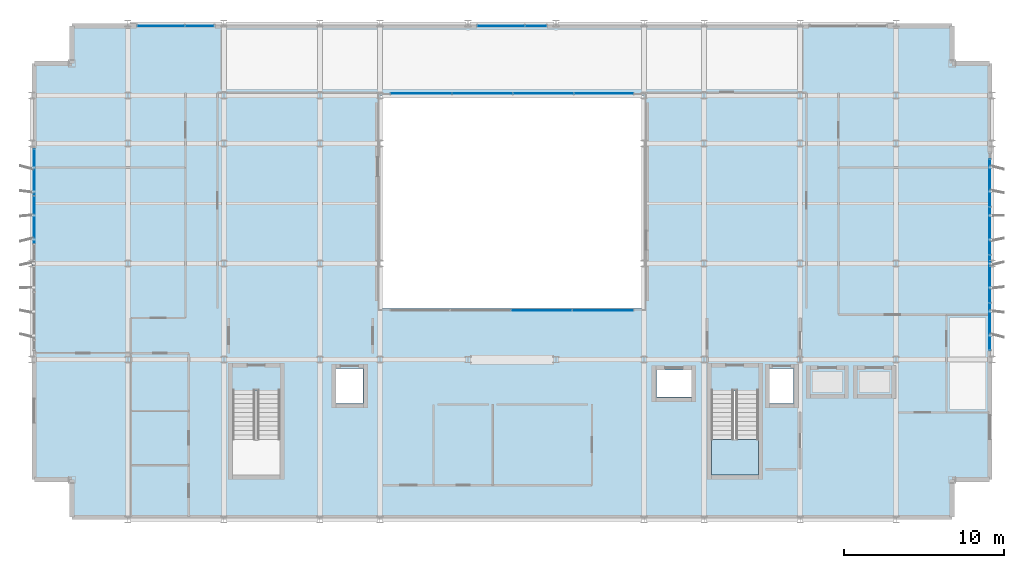
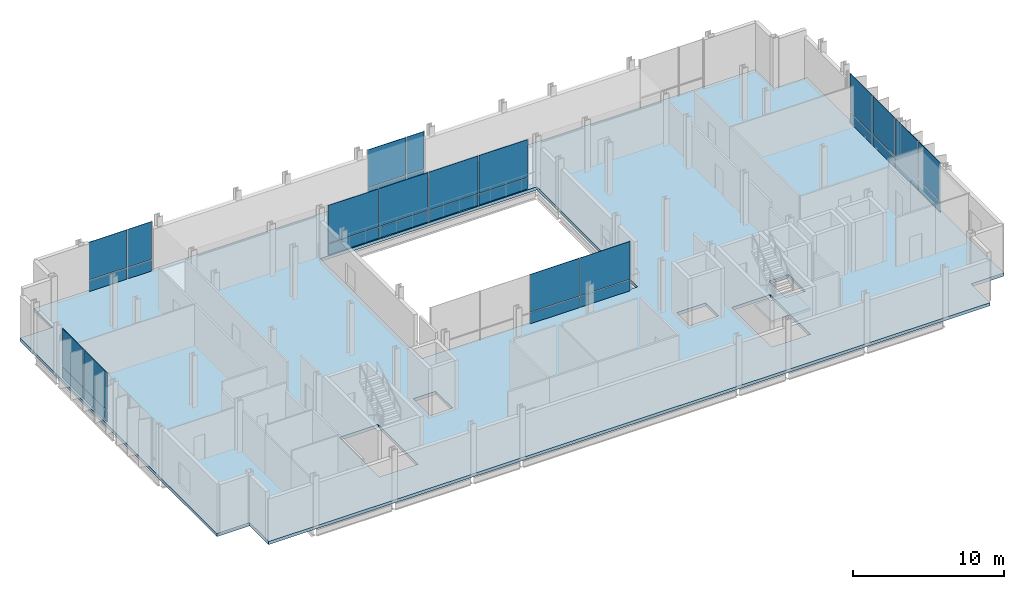
# One storey, part 22 of 32: 32 plates, 2 slabs, 7 elements without a shape of their own.
"""IFC4 building model written with IfcOpenShell, lengths in metres."""

from ifc_helpers import new_model, si_unit, direction, frame, origin, origin_2d, place, context, subcontext, project, spatial, polyline, rectangle, outline, extrude, material, layer, layer_set, type_object, element, aggregate, save


model = new_model("IFC4")

# Units and contexts
model_context = context("Model", 3, precision=1e-05, world=origin(), true_north=direction((0.0, 1.0)))
body_context = subcontext(model_context, "Body", "Model", "MODEL_VIEW")
ifc_project = project(units=[si_unit("LENGTHUNIT", "METRE"), si_unit("AREAUNIT", "SQUARE_METRE"), si_unit("VOLUMEUNIT", "CUBIC_METRE"), si_unit("PLANEANGLEUNIT", "RADIAN"), si_unit("MASSUNIT", "GRAM", prefix="KILO")], contexts=[model_context])

# Site, building, storey
site_placement = place(None, origin())
site = spatial("IfcSite", under=ifc_project, at=site_placement, CompositionType="ELEMENT")
building_placement = place(site_placement, origin())
building = spatial("IfcBuilding", under=site, at=building_placement, Name="Brevholm Reach", CompositionType="ELEMENT")
storey_placement = place(building_placement, frame((0.0, 0.0, 134.5)))
storey = spatial("IfcBuildingStorey", under=building, at=storey_placement, Name="L40", CompositionType="ELEMENT", Elevation=134.5)

# Curtain wall, plates
ifc_material_1 = material(Name="Dark Anodised Aluminium 6063-T6 and Solar-Control Glass", Category="aluminium")
ifc_layer_1 = layer(ifc_material_1, 0.179931640625)
ifc_layer_set_1 = layer_set([ifc_layer_1], Name="Dark Anodised Aluminium 6063-T6 and Solar-Control Glass")
curtain_wall_type_1 = type_object("IfcCurtainWallType", Name="CW-05", PredefinedType="NOTDEFINED", material=ifc_layer_set_1)
curtain_wall_1_placement = place(storey_placement, origin())
curtain_wall_1 = element("IfcCurtainWall", 1, at=curtain_wall_1_placement, inside=storey, type_object=curtain_wall_type_1, Name="L40 Curtain Wall CW-05", PredefinedType="NOTDEFINED")
ifc_material_2 = material(Name="Low-Iron Laminated Acoustic Glass", Category="glass")
ifc_layer_2 = layer(ifc_material_2, 0.035888671875)
ifc_layer_set_2 = layer_set([ifc_layer_2], Name="Low-Iron Laminated Acoustic Glass")
plate_type = type_object("IfcPlateType", Name="CWP-GLZ-36", PredefinedType="CURTAIN_PANEL", material=ifc_layer_set_2)
plate_1_placement = place(storey_placement, frame((0.14990234375, 21.701171875, 0.0), z_axis=(0.0, 0.0, 1.0), x_axis=(0.0, -1.0, 0.0)))
plate_1 = element("IfcPlate", 2, at=plate_1_placement, type_object=plate_type, Name="CP-02 Glazing Panel 1.1", PredefinedType="CURTAIN_PANEL", context=body_context, shape_type="SweptSolid", body=[
    extrude(rectangle(XDim=2.887451171875, YDim=0.035888671875, at=origin_2d()), origin(), (0.0, 0.0, 1.0), 0.862548828125),
])
plate_2_placement = place(storey_placement, frame((0.14990234375, 21.701171875, 0.9375), z_axis=(0.0, 0.0, 1.0), x_axis=(0.0, -1.0, 0.0)))
plate_2 = element("IfcPlate", 3, at=plate_2_placement, type_object=plate_type, Name="CP-02 Glazing Panel 1.2", PredefinedType="CURTAIN_PANEL", context=body_context, shape_type="SweptSolid", body=[
    extrude(rectangle(XDim=2.887451171875, YDim=0.035888671875, at=origin_2d()), origin(), (0.0, 0.0, 1.0), 3.04248046875),
])
plate_3_placement = place(storey_placement, frame((0.14990234375, 18.719970703125, 0.0), z_axis=(0.0, 0.0, 1.0), x_axis=(0.0, -1.0, 0.0)))
plate_3 = element("IfcPlate", 4, at=plate_3_placement, type_object=plate_type, Name="CP-02 Glazing Panel 2.1", PredefinedType="CURTAIN_PANEL", context=body_context, shape_type="SweptSolid", body=[
    extrude(rectangle(XDim=2.925048828125, YDim=0.035888671875, at=origin_2d()), origin(), (0.0, 0.0, 1.0), 0.862548828125),
])
plate_4_placement = place(storey_placement, frame((0.14990234375, 18.719970703125, 0.9375), z_axis=(0.0, 0.0, 1.0), x_axis=(0.0, -1.0, 0.0)))
plate_4 = element("IfcPlate", 5, at=plate_4_placement, type_object=plate_type, Name="CP-02 Glazing Panel 2.2", PredefinedType="CURTAIN_PANEL", context=body_context, shape_type="SweptSolid", body=[
    extrude(rectangle(XDim=2.925048828125, YDim=0.035888671875, at=origin_2d()), origin(), (0.0, 0.0, 1.0), 3.04248046875),
])
aggregate(curtain_wall_1, [plate_1, plate_2, plate_3, plate_4])

curtain_wall_2_placement = place(storey_placement, origin())
curtain_wall_2 = element("IfcCurtainWall", 6, at=curtain_wall_2_placement, inside=storey, type_object=curtain_wall_type_1, Name="L40 Curtain Wall CW-05", PredefinedType="NOTDEFINED")
plate_5_placement = place(storey_placement, frame((59.85009765625, 12.06884765625, 0.0), z_axis=(0.0, 0.0, 1.0), x_axis=(0.0, 1.0, 0.0)))
plate_5 = element("IfcPlate", 7, at=plate_5_placement, type_object=plate_type, Name="CP-02 Glazing Panel 1.1", PredefinedType="CURTAIN_PANEL", context=body_context, shape_type="SweptSolid", body=[
    extrude(rectangle(XDim=2.887451171875, YDim=0.035888671875, at=origin_2d()), origin(), (0.0, 0.0, 1.0), 0.862548828125),
])
plate_6_placement = place(storey_placement, frame((59.85009765625, 12.06884765625, 0.9375), z_axis=(0.0, 0.0, 1.0), x_axis=(0.0, 1.0, 0.0)))
plate_6 = element("IfcPlate", 8, at=plate_6_placement, type_object=plate_type, Name="CP-02 Glazing Panel 1.2", PredefinedType="CURTAIN_PANEL", context=body_context, shape_type="SweptSolid", body=[
    extrude(rectangle(XDim=2.887451171875, YDim=0.035888671875, at=origin_2d()), origin(), (0.0, 0.0, 1.0), 3.04248046875),
])
plate_7_placement = place(storey_placement, frame((59.85009765625, 15.050048828125, 0.0), z_axis=(0.0, 0.0, 1.0), x_axis=(0.0, 1.0, 0.0)))
plate_7 = element("IfcPlate", 9, at=plate_7_placement, type_object=plate_type, Name="CP-02 Glazing Panel 2.1", PredefinedType="CURTAIN_PANEL", context=body_context, shape_type="SweptSolid", body=[
    extrude(rectangle(XDim=2.925048828125, YDim=0.035888671875, at=origin_2d()), origin(), (0.0, 0.0, 1.0), 0.862548828125),
])
plate_8_placement = place(storey_placement, frame((59.85009765625, 15.050048828125, 0.9375), z_axis=(0.0, 0.0, 1.0), x_axis=(0.0, 1.0, 0.0)))
plate_8 = element("IfcPlate", 10, at=plate_8_placement, type_object=plate_type, Name="CP-02 Glazing Panel 2.2", PredefinedType="CURTAIN_PANEL", context=body_context, shape_type="SweptSolid", body=[
    extrude(rectangle(XDim=2.925048828125, YDim=0.035888671875, at=origin_2d()), origin(), (0.0, 0.0, 1.0), 3.04248046875),
])
plate_9_placement = place(storey_placement, frame((59.85009765625, 18.050048828125, 0.0), z_axis=(0.0, 0.0, 1.0), x_axis=(0.0, 1.0, 0.0)))
plate_9 = element("IfcPlate", 11, at=plate_9_placement, type_object=plate_type, Name="CP-02 Glazing Panel 3.1", PredefinedType="CURTAIN_PANEL", context=body_context, shape_type="SweptSolid", body=[
    extrude(rectangle(XDim=2.925048828125, YDim=0.035888671875, at=origin_2d()), origin(), (0.0, 0.0, 1.0), 0.862548828125),
])
plate_10_placement = place(storey_placement, frame((59.85009765625, 18.050048828125, 0.9375), z_axis=(0.0, 0.0, 1.0), x_axis=(0.0, 1.0, 0.0)))
plate_10 = element("IfcPlate", 12, at=plate_10_placement, type_object=plate_type, Name="CP-02 Glazing Panel 3.2", PredefinedType="CURTAIN_PANEL", context=body_context, shape_type="SweptSolid", body=[
    extrude(rectangle(XDim=2.925048828125, YDim=0.035888671875, at=origin_2d()), origin(), (0.0, 0.0, 1.0), 3.04248046875),
])
plate_11_placement = place(storey_placement, frame((59.85009765625, 21.050048828125, 0.0), z_axis=(0.0, 0.0, 1.0), x_axis=(0.0, 1.0, 0.0)))
plate_11 = element("IfcPlate", 13, at=plate_11_placement, type_object=plate_type, Name="CP-02 Glazing Panel 4.1", PredefinedType="CURTAIN_PANEL", context=body_context, shape_type="SweptSolid", body=[
    extrude(rectangle(XDim=2.925048828125, YDim=0.035888671875, at=origin_2d()), origin(), (0.0, 0.0, 1.0), 0.862548828125),
])
plate_12_placement = place(storey_placement, frame((59.85009765625, 21.050048828125, 0.9375), z_axis=(0.0, 0.0, 1.0), x_axis=(0.0, 1.0, 0.0)))
plate_12 = element("IfcPlate", 14, at=plate_12_placement, type_object=plate_type, Name="CP-02 Glazing Panel 4.2", PredefinedType="CURTAIN_PANEL", context=body_context, shape_type="SweptSolid", body=[
    extrude(rectangle(XDim=2.925048828125, YDim=0.035888671875, at=origin_2d()), origin(), (0.0, 0.0, 1.0), 3.04248046875),
])
aggregate(curtain_wall_2, [plate_5, plate_6, plate_7, plate_8, plate_9, plate_10, plate_11, plate_12])

curtain_wall_3_placement = place(storey_placement, origin())
curtain_wall_3 = element("IfcCurtainWall", 15, at=curtain_wall_3_placement, inside=storey, type_object=curtain_wall_type_1, Name="L40 Curtain Wall CW-05", PredefinedType="NOTDEFINED")
plate_13_placement = place(storey_placement, frame((8.06884765625, 30.85009765625, 0.0), z_axis=(0.0, 0.0, 1.0), x_axis=(1.0, 0.0, 0.0)))
plate_13 = element("IfcPlate", 16, at=plate_13_placement, type_object=plate_type, Name="CP-02 Glazing Panel 1.1", PredefinedType="CURTAIN_PANEL", context=body_context, shape_type="SweptSolid", body=[
    extrude(rectangle(XDim=2.887451171875, YDim=0.035888671875, at=origin_2d()), origin(), (0.0, 0.0, 1.0), 0.862548828125),
])
plate_14_placement = place(storey_placement, frame((8.06884765625, 30.85009765625, 0.9375), z_axis=(0.0, 0.0, 1.0), x_axis=(1.0, 0.0, 0.0)))
plate_14 = element("IfcPlate", 17, at=plate_14_placement, type_object=plate_type, Name="CP-02 Glazing Panel 1.2", PredefinedType="CURTAIN_PANEL", context=body_context, shape_type="SweptSolid", body=[
    extrude(rectangle(XDim=2.887451171875, YDim=0.035888671875, at=origin_2d()), origin(), (0.0, 0.0, 1.0), 3.04248046875),
])
plate_15_placement = place(storey_placement, frame((10.481201171875, 30.85009765625, 0.0), z_axis=(0.0, 0.0, 1.0), x_axis=(1.0, 0.0, 0.0)))
plate_15 = element("IfcPlate", 18, at=plate_15_placement, type_object=plate_type, Name="CP-02 Glazing Panel 2.1", PredefinedType="CURTAIN_PANEL", context=body_context, shape_type="SweptSolid", body=[
    extrude(rectangle(XDim=1.78759765625, YDim=0.035888671875, at=origin_2d()), origin(), (0.0, 0.0, 1.0), 0.862548828125),
])
plate_16_placement = place(storey_placement, frame((10.481201171875, 30.85009765625, 0.9375), z_axis=(0.0, 0.0, 1.0), x_axis=(1.0, 0.0, 0.0)))
plate_16 = element("IfcPlate", 19, at=plate_16_placement, type_object=plate_type, Name="CP-02 Glazing Panel 2.2", PredefinedType="CURTAIN_PANEL", context=body_context, shape_type="SweptSolid", body=[
    extrude(rectangle(XDim=1.78759765625, YDim=0.035888671875, at=origin_2d()), origin(), (0.0, 0.0, 1.0), 3.04248046875),
])
aggregate(curtain_wall_3, [plate_13, plate_14, plate_15, plate_16])

curtain_wall_4_placement = place(storey_placement, origin())
curtain_wall_4 = element("IfcCurtainWall", 20, at=curtain_wall_4_placement, inside=storey, type_object=curtain_wall_type_1, Name="L40 Curtain Wall CW-05", PredefinedType="NOTDEFINED")
plate_17_placement = place(storey_placement, frame((29.31884765625, 30.85009765625, 0.0), z_axis=(0.0, 0.0, 1.0), x_axis=(1.0, 0.0, 0.0)))
plate_17 = element("IfcPlate", 21, at=plate_17_placement, type_object=plate_type, Name="CP-02 Glazing Panel 1.1", PredefinedType="CURTAIN_PANEL", context=body_context, shape_type="SweptSolid", body=[
    extrude(rectangle(XDim=2.887451171875, YDim=0.035888671875, at=origin_2d()), origin(), (0.0, 0.0, 1.0), 0.862548828125),
])
plate_18_placement = place(storey_placement, frame((29.31884765625, 30.85009765625, 0.9375), z_axis=(0.0, 0.0, 1.0), x_axis=(1.0, 0.0, 0.0)))
plate_18 = element("IfcPlate", 22, at=plate_18_placement, type_object=plate_type, Name="CP-02 Glazing Panel 1.2", PredefinedType="CURTAIN_PANEL", context=body_context, shape_type="SweptSolid", body=[
    extrude(rectangle(XDim=2.887451171875, YDim=0.035888671875, at=origin_2d()), origin(), (0.0, 0.0, 1.0), 3.04248046875),
])
plate_19_placement = place(storey_placement, frame((31.481201171875, 30.85009765625, 0.0), z_axis=(0.0, 0.0, 1.0), x_axis=(1.0, 0.0, 0.0)))
plate_19 = element("IfcPlate", 23, at=plate_19_placement, type_object=plate_type, Name="CP-02 Glazing Panel 2.1", PredefinedType="CURTAIN_PANEL", context=body_context, shape_type="SweptSolid", body=[
    extrude(rectangle(XDim=1.28759765625, YDim=0.035888671875, at=origin_2d()), origin(), (0.0, 0.0, 1.0), 0.862548828125),
])
plate_20_placement = place(storey_placement, frame((31.481201171875, 30.85009765625, 0.9375), z_axis=(0.0, 0.0, 1.0), x_axis=(1.0, 0.0, 0.0)))
plate_20 = element("IfcPlate", 24, at=plate_20_placement, type_object=plate_type, Name="CP-02 Glazing Panel 2.2", PredefinedType="CURTAIN_PANEL", context=body_context, shape_type="SweptSolid", body=[
    extrude(rectangle(XDim=1.28759765625, YDim=0.035888671875, at=origin_2d()), origin(), (0.0, 0.0, 1.0), 3.04248046875),
])
aggregate(curtain_wall_4, [plate_17, plate_18, plate_19, plate_20])

ifc_material_3 = material(Name="Dark Anodised Aluminium 6063-T6 and Solar-Control Glass", Category="aluminium")
ifc_layer_3 = layer(ifc_material_3, 0.139892578125)
ifc_layer_set_3 = layer_set([ifc_layer_3], Name="Dark Anodised Aluminium 6063-T6 and Solar-Control Glass")
curtain_wall_type_2 = type_object("IfcCurtainWallType", Name="CW-02", PredefinedType="NOTDEFINED", material=ifc_layer_set_3)
curtain_wall_5_placement = place(storey_placement, origin())
curtain_wall_5 = element("IfcCurtainWall", 25, at=curtain_wall_5_placement, inside=storey, type_object=curtain_wall_type_2, Name="L40 Curtain Wall CW-02", PredefinedType="NOTDEFINED")
plate_21_placement = place(storey_placement, frame((31.85009765625, 13.080078125, 0.0), z_axis=(0.0, 0.0, 1.0), x_axis=(1.0, 0.0, 0.0)))
plate_21 = element("IfcPlate", 26, at=plate_21_placement, type_object=plate_type, Name="CP-02 Glazing Panel 3.1", PredefinedType="CURTAIN_PANEL", context=body_context, shape_type="SweptSolid", body=[
    extrude(rectangle(XDim=3.739990234375, YDim=0.035888671875, at=origin_2d()), origin(), (0.0, 0.0, 1.0), 0.8701171875),
])
plate_22_placement = place(storey_placement, frame((31.85009765625, 13.080078125, 0.93017578125), z_axis=(0.0, 0.0, 1.0), x_axis=(1.0, 0.0, 0.0)))
plate_22 = element("IfcPlate", 27, at=plate_22_placement, type_object=plate_type, Name="CP-02 Glazing Panel 3.2", PredefinedType="CURTAIN_PANEL", context=body_context, shape_type="SweptSolid", body=[
    extrude(rectangle(XDim=3.739990234375, YDim=0.035888671875, at=origin_2d()), origin(), (0.0, 0.0, 1.0), 3.050048828125),
])
plate_23_placement = place(storey_placement, frame((35.68505859375, 13.080078125, 0.0), z_axis=(0.0, 0.0, 1.0), x_axis=(1.0, 0.0, 0.0)))
plate_23 = element("IfcPlate", 28, at=plate_23_placement, type_object=plate_type, Name="CP-02 Glazing Panel 4.1", PredefinedType="CURTAIN_PANEL", context=body_context, shape_type="SweptSolid", body=[
    extrude(rectangle(XDim=3.81005859375, YDim=0.035888671875, at=origin_2d()), origin(), (0.0, 0.0, 1.0), 0.8701171875),
])
plate_24_placement = place(storey_placement, frame((35.68505859375, 13.080078125, 0.93017578125), z_axis=(0.0, 0.0, 1.0), x_axis=(1.0, 0.0, 0.0)))
plate_24 = element("IfcPlate", 29, at=plate_24_placement, type_object=plate_type, Name="CP-02 Glazing Panel 4.2", PredefinedType="CURTAIN_PANEL", context=body_context, shape_type="SweptSolid", body=[
    extrude(rectangle(XDim=3.81005859375, YDim=0.035888671875, at=origin_2d()), origin(), (0.0, 0.0, 1.0), 3.050048828125),
])
aggregate(curtain_wall_5, [plate_21, plate_22, plate_23, plate_24])

curtain_wall_6_placement = place(storey_placement, origin())
curtain_wall_6 = element("IfcCurtainWall", 30, at=curtain_wall_6_placement, inside=storey, type_object=curtain_wall_type_2, Name="L40 Curtain Wall CW-02", PredefinedType="NOTDEFINED")
plate_25_placement = place(storey_placement, frame((35.735107421875, 26.6201171875, 0.0), z_axis=(0.0, 0.0, 1.0), x_axis=(-1.0, 0.0, 0.0)))
plate_25 = element("IfcPlate", 31, at=plate_25_placement, type_object=plate_type, Name="CP-02 Glazing Panel 1.1", PredefinedType="CURTAIN_PANEL", context=body_context, shape_type="SweptSolid", body=[
    extrude(rectangle(XDim=3.7099609375, YDim=0.035888671875, at=origin_2d()), origin(), (0.0, 0.0, 1.0), 0.8701171875),
])
plate_26_placement = place(storey_placement, frame((35.735107421875, 26.6201171875, 0.93017578125), z_axis=(0.0, 0.0, 1.0), x_axis=(-1.0, 0.0, 0.0)))
plate_26 = element("IfcPlate", 32, at=plate_26_placement, type_object=plate_type, Name="CP-02 Glazing Panel 1.2", PredefinedType="CURTAIN_PANEL", context=body_context, shape_type="SweptSolid", body=[
    extrude(rectangle(XDim=3.7099609375, YDim=0.035888671875, at=origin_2d()), origin(), (0.0, 0.0, 1.0), 3.050048828125),
])
plate_27_placement = place(storey_placement, frame((31.949951171875, 26.6201171875, 0.0), z_axis=(0.0, 0.0, 1.0), x_axis=(-1.0, 0.0, 0.0)))
plate_27 = element("IfcPlate", 33, at=plate_27_placement, type_object=plate_type, Name="CP-02 Glazing Panel 2.1", PredefinedType="CURTAIN_PANEL", context=body_context, shape_type="SweptSolid", body=[
    extrude(rectangle(XDim=3.739990234375, YDim=0.035888671875, at=origin_2d()), origin(), (0.0, 0.0, 1.0), 0.8701171875),
])
plate_28_placement = place(storey_placement, frame((31.949951171875, 26.6201171875, 0.93017578125), z_axis=(0.0, 0.0, 1.0), x_axis=(-1.0, 0.0, 0.0)))
plate_28 = element("IfcPlate", 34, at=plate_28_placement, type_object=plate_type, Name="CP-02 Glazing Panel 2.2", PredefinedType="CURTAIN_PANEL", context=body_context, shape_type="SweptSolid", body=[
    extrude(rectangle(XDim=3.739990234375, YDim=0.035888671875, at=origin_2d()), origin(), (0.0, 0.0, 1.0), 3.050048828125),
])
plate_29_placement = place(storey_placement, frame((28.14990234375, 26.6201171875, 0.0), z_axis=(0.0, 0.0, 1.0), x_axis=(-1.0, 0.0, 0.0)))
plate_29 = element("IfcPlate", 35, at=plate_29_placement, type_object=plate_type, Name="CP-02 Glazing Panel 3.1", PredefinedType="CURTAIN_PANEL", context=body_context, shape_type="SweptSolid", body=[
    extrude(rectangle(XDim=3.739990234375, YDim=0.035888671875, at=origin_2d()), origin(), (0.0, 0.0, 1.0), 0.8701171875),
])
plate_30_placement = place(storey_placement, frame((28.14990234375, 26.6201171875, 0.93017578125), z_axis=(0.0, 0.0, 1.0), x_axis=(-1.0, 0.0, 0.0)))
plate_30 = element("IfcPlate", 36, at=plate_30_placement, type_object=plate_type, Name="CP-02 Glazing Panel 3.2", PredefinedType="CURTAIN_PANEL", context=body_context, shape_type="SweptSolid", body=[
    extrude(rectangle(XDim=3.739990234375, YDim=0.035888671875, at=origin_2d()), origin(), (0.0, 0.0, 1.0), 3.050048828125),
])
plate_31_placement = place(storey_placement, frame((24.31494140625, 26.6201171875, 0.0), z_axis=(0.0, 0.0, 1.0), x_axis=(-1.0, 0.0, 0.0)))
plate_31 = element("IfcPlate", 37, at=plate_31_placement, type_object=plate_type, Name="CP-02 Glazing Panel 4.1", PredefinedType="CURTAIN_PANEL", context=body_context, shape_type="SweptSolid", body=[
    extrude(rectangle(XDim=3.81005859375, YDim=0.035888671875, at=origin_2d()), origin(), (0.0, 0.0, 1.0), 0.8701171875),
])
plate_32_placement = place(storey_placement, frame((24.31494140625, 26.6201171875, 0.93017578125), z_axis=(0.0, 0.0, 1.0), x_axis=(-1.0, 0.0, 0.0)))
plate_32 = element("IfcPlate", 38, at=plate_32_placement, type_object=plate_type, Name="CP-02 Glazing Panel 4.2", PredefinedType="CURTAIN_PANEL", context=body_context, shape_type="SweptSolid", body=[
    extrude(rectangle(XDim=3.81005859375, YDim=0.035888671875, at=origin_2d()), origin(), (0.0, 0.0, 1.0), 3.050048828125),
])
aggregate(curtain_wall_6, [plate_25, plate_26, plate_27, plate_28, plate_29, plate_30, plate_31, plate_32])

# Slab
ifc_material_4 = material(Name="Concrete C40/50", Category="concrete")
ifc_layer_4 = layer(ifc_material_4, 0.25)
ifc_layer_set_4 = layer_set([ifc_layer_4], Name="Concrete C40/50")
slab_type_1 = type_object("IfcSlabType", Name="SLB-FL-250", PredefinedType="FLOOR", material=ifc_layer_set_4)
slab_1_placement = place(storey_placement, frame((0.0, 0.0, -0.25)))
element("IfcSlab", 39, at=slab_1_placement, inside=storey, type_object=slab_type_1, Name="L40 Suspended Floor Slab (main)", PredefinedType="FLOOR", context=body_context, shape_type="SweptSolid", body=[
    extrude(outline(polyline([(2.5, 0.0), (57.5, 0.0), (57.5, 2.5), (60.0, 2.5), (60.0, 28.5), (57.5, 28.5), (57.5, 31.0), (2.5, 31.0), (2.5, 28.5), (0.0, 28.5), (0.0, 2.5), (2.5, 2.5), (2.5, 0.0)]), holes=[polyline([(21.75, 13.199951171875), (38.25, 13.199951171875), (38.25, 26.5), (21.75, 26.5), (21.75, 13.199951171875)]), polyline([(12.550048828125, 2.780029296875), (15.5, 2.780029296875), (15.5, 8.044921875), (12.550048828125, 8.044921875), (12.550048828125, 2.780029296875)]), polyline([(42.449951171875, 2.780029296875), (45.39990234375, 2.780029296875), (45.39990234375, 8.044921875), (42.449951171875, 8.044921875), (42.449951171875, 2.780029296875)]), polyline([(19.0, 7.25), (20.699951171875, 7.25), (20.699951171875, 9.449951171875), (19.0, 9.449951171875), (19.0, 7.25)]), polyline([(46.10009765625, 7.25), (47.60009765625, 7.25), (47.60009765625, 9.449951171875), (46.10009765625, 9.449951171875), (46.10009765625, 7.25)]), polyline([(39.02001953125, 7.64990234375), (41.219970703125, 7.64990234375), (41.219970703125, 9.35009765625), (39.02001953125, 9.35009765625), (39.02001953125, 7.64990234375)])]), origin(), (0.0, 0.0, 1.0), 0.25),
])

# Stair, slab
ifc_material_5 = material(Name="Precast Concrete C40/50", Category="concrete")
stair_type = type_object("IfcStairType", Name="STR-ESC-1400", PredefinedType="DOUBLE_RETURN_STAIR", material=ifc_material_5)
stair_placement = place(storey_placement, origin())
stair = element("IfcStair", 40, at=stair_placement, inside=storey, type_object=stair_type, Name="L40 ST-2", PredefinedType="DOUBLE_RETURN_STAIR")
ifc_material_6 = material(Name="Concrete C40/50", Category="concrete")
ifc_layer_5 = layer(ifc_material_6, 0.199951171875)
ifc_layer_set_5 = layer_set([ifc_layer_5], Name="Concrete C40/50")
slab_type_2 = type_object("IfcSlabType", Name="SLB-LND-200", PredefinedType="LANDING", material=ifc_layer_set_5)
slab_2_placement = place(storey_placement, frame((0.0, 0.0, 1.89990234375)))
slab_2 = element("IfcSlab", 41, at=slab_2_placement, type_object=slab_type_2, Name="ST-2 landing 1", PredefinedType="LANDING", context=body_context, shape_type="SweptSolid", body=[
    extrude(outline(polyline([(42.449951171875, 5.02001953125), (42.449951171875, 2.780029296875), (45.39990234375, 2.780029296875), (45.39990234375, 5.02001953125), (42.449951171875, 5.02001953125)])), origin(), (0.0, 0.0, 1.0), 0.2001953125),
])
aggregate(stair, [slab_2])

save(model, "model.ifc")
